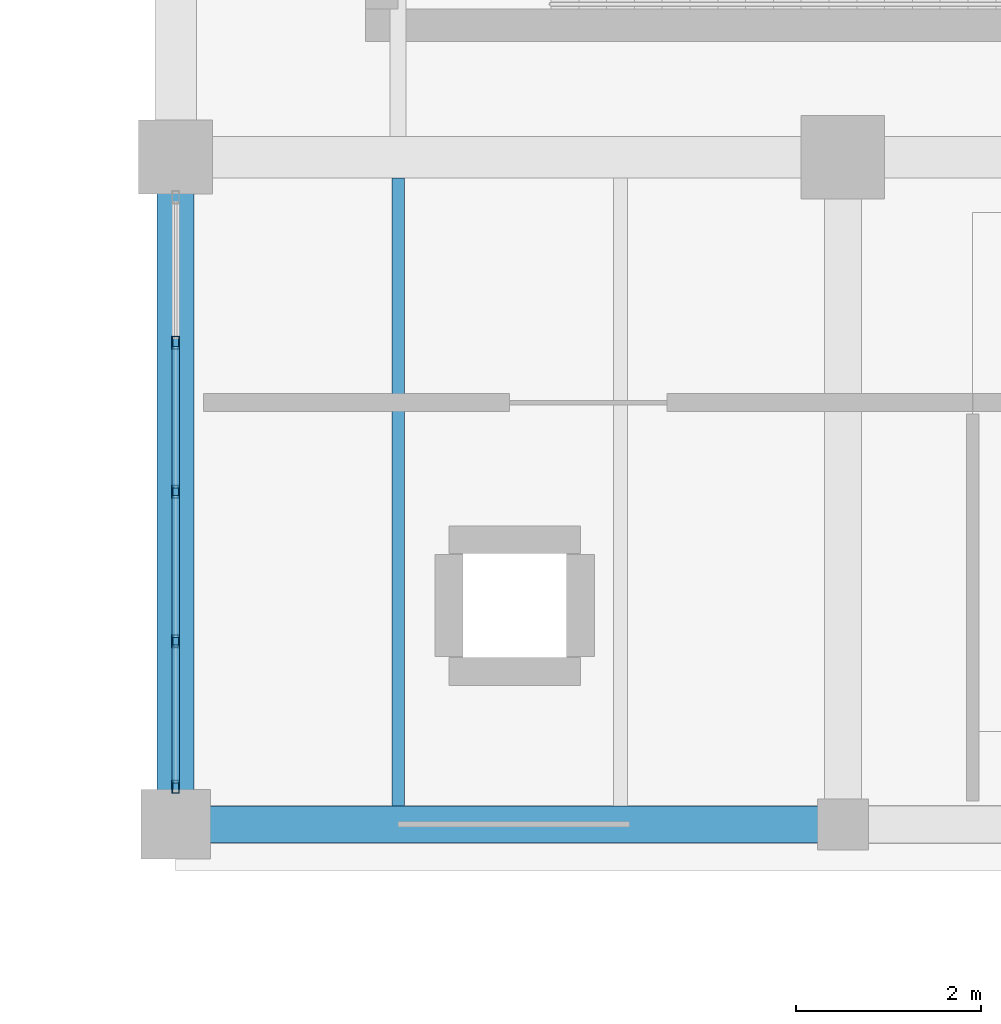
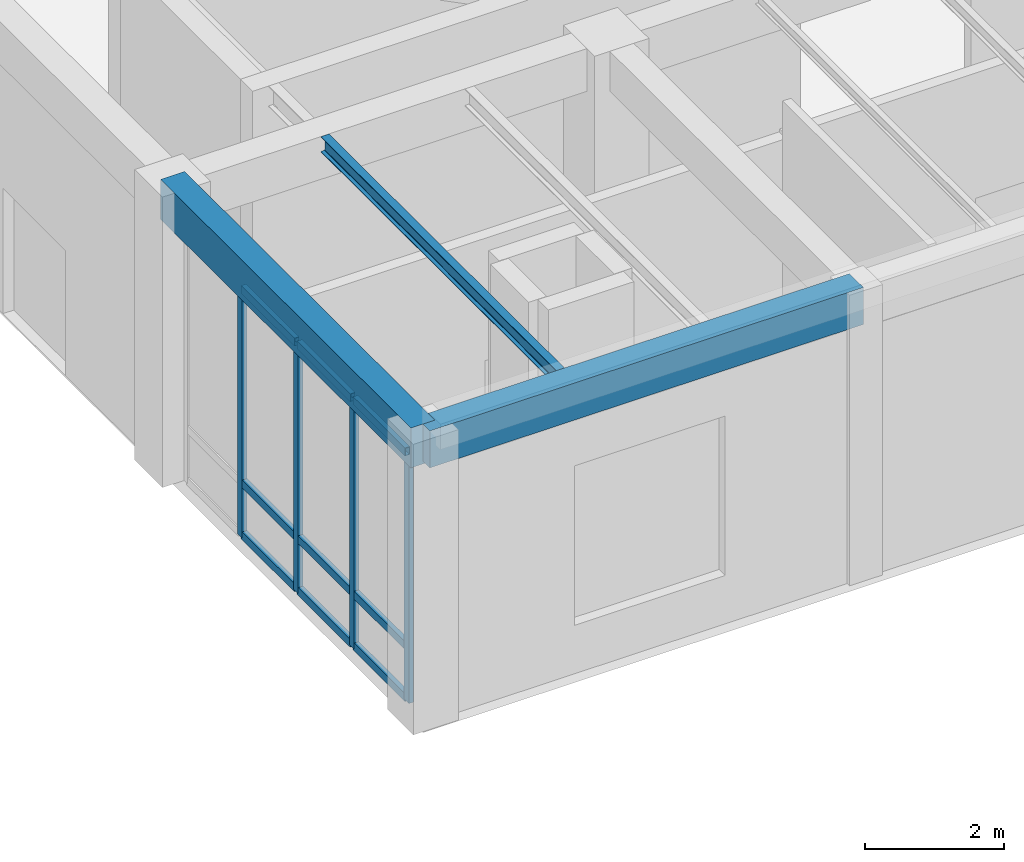
# One storey, part 44 of 169: 13 members, 3 beams, 1 element without a shape of its own.
"""IFC4 building model written with IfcOpenShell, lengths in metres."""

from ifc_helpers import new_model, si_unit, direction, frame, origin, origin_2d, place, context, subcontext, project, spatial, rectangle, hollow_rectangle, i_section, extrude, material, layer, layer_set, material_profile, profile_set, type_object, element, aggregate, save


model = new_model("IFC4")

# Units and contexts
model_context = context("Model", 3, precision=1e-05, world=origin(), true_north=direction((0.0, 1.0)))
body_context = subcontext(model_context, "Body", "Model", "MODEL_VIEW")
ifc_project = project(units=[si_unit("LENGTHUNIT", "METRE"), si_unit("AREAUNIT", "SQUARE_METRE"), si_unit("VOLUMEUNIT", "CUBIC_METRE"), si_unit("PLANEANGLEUNIT", "RADIAN"), si_unit("MASSUNIT", "GRAM", prefix="KILO")], contexts=[model_context])

# Site, building, storey
site_placement = place(None, origin())
site = spatial("IfcSite", under=ifc_project, at=site_placement, CompositionType="ELEMENT")
building_placement = place(site_placement, origin())
building = spatial("IfcBuilding", under=site, at=building_placement, Name="Mazaris Harbour Polytechnic", CompositionType="ELEMENT")
storey_placement = place(building_placement, origin())
storey = spatial("IfcBuildingStorey", under=building, at=storey_placement, Name="L00", CompositionType="ELEMENT", Elevation=0.0)

# Curtain wall, members
ifc_material_1 = material(Name="Anodised Bronze Aluminium and Low-E Glass", Category="aluminium")
ifc_layer = layer(ifc_material_1, 0.159912109375, Name="Anodised Bronze Aluminium and Low-E Glass")
ifc_layer_set = layer_set([ifc_layer], Name="Anodised Bronze Aluminium and Low-E Glass")
curtain_wall_type = type_object("IfcCurtainWallType", Name="Cloister Court Curtain Wall", PredefinedType="NOTDEFINED", material=ifc_layer_set)
curtain_wall_placement = place(storey_placement, origin())
curtain_wall = element("IfcCurtainWall", 1, at=curtain_wall_placement, inside=storey, type_object=curtain_wall_type, Name="V2 L00 Curtain Wall 41", PredefinedType="NOTDEFINED")
ifc_material_2 = material(Name="Anodised Bronze Steel S355", Category="steel")
ifc_material_profile_1 = material_profile(ifc_material_2, hollow_rectangle(XDim=0.080078125, YDim=0.139892578125, WallThickness=0.00634765625, at=origin_2d()), Name="RHS 80x140x6.3")
ifc_profile_set_1 = profile_set([ifc_material_profile_1], Name="Anodised Bronze Steel S355")
member_type_1 = type_object("IfcMemberType", Name="Curtain Mullion RHS80x140", PredefinedType="MULLION", material=ifc_profile_set_1)
member_1_placement = place(storey_placement, frame((122.39990234375, 7.60693359375, 0.0), z_axis=(0.0, 0.0, 1.0), x_axis=(-1.0, 0.0, 0.0)))
member_1 = element("IfcMember", 2, at=member_1_placement, type_object=member_type_1, Name="CW-02 mullion 1", PredefinedType="MULLION", context=body_context, shape_type="SweptSolid", body=[
    extrude(hollow_rectangle(XDim=0.080078125, YDim=0.139892578125, WallThickness=0.00634765625, at=origin_2d()), origin(), (0.0, 0.0, 1.0), 4.389892578125),
])
member_2_placement = place(storey_placement, frame((122.39990234375, 9.17724609375, 0.0), z_axis=(0.0, 0.0, 1.0), x_axis=(-1.0, 0.0, 0.0)))
member_2 = element("IfcMember", 3, at=member_2_placement, type_object=member_type_1, Name="CW-02 mullion 2", PredefinedType="MULLION", context=body_context, shape_type="SweptSolid", body=[
    extrude(hollow_rectangle(XDim=0.080078125, YDim=0.139892578125, WallThickness=0.00634765625, at=origin_2d()), origin(), (0.0, 0.0, 1.0), 4.389892578125),
])
member_3_placement = place(storey_placement, frame((122.39990234375, 10.78759765625, 0.0), z_axis=(0.0, 0.0, 1.0), x_axis=(-1.0, 0.0, 0.0)))
member_3 = element("IfcMember", 4, at=member_3_placement, type_object=member_type_1, Name="CW-02 mullion 3", PredefinedType="MULLION", context=body_context, shape_type="SweptSolid", body=[
    extrude(hollow_rectangle(XDim=0.080078125, YDim=0.139892578125, WallThickness=0.00634765625, at=origin_2d()), origin(), (0.0, 0.0, 1.0), 4.389892578125),
])
member_4_placement = place(storey_placement, frame((122.39990234375, 12.397705078125, 0.0), z_axis=(0.0, 0.0, 1.0), x_axis=(-1.0, 0.0, 0.0)))
member_4 = element("IfcMember", 5, at=member_4_placement, type_object=member_type_1, Name="CW-02 mullion 4", PredefinedType="MULLION", context=body_context, shape_type="SweptSolid", body=[
    extrude(hollow_rectangle(XDim=0.080078125, YDim=0.139892578125, WallThickness=0.00634765625, at=origin_2d()), origin(), (0.0, 0.0, 1.0), 4.389892578125),
])
ifc_material_3 = material(Name="Anodised Bronze Steel S355", Category="steel")
ifc_material_profile_2 = material_profile(ifc_material_3, hollow_rectangle(XDim=0.080078125, YDim=0.139892578125, WallThickness=0.00634765625, at=origin_2d()), Name="RHS 80x140x6.3")
ifc_profile_set_2 = profile_set([ifc_material_profile_2], Name="Anodised Bronze Steel S355")
member_type_2 = type_object("IfcMemberType", Name="Curtain Transom RHS80x140", PredefinedType="USERDEFINED", material=ifc_profile_set_2)
member_5_placement = place(storey_placement, frame((122.39990234375, 7.64697265625, 0.0400390625), z_axis=(0.0, 1.0, 0.0), x_axis=(-1.0, 0.0, 0.0)))
member_5 = element("IfcMember", 6, at=member_5_placement, type_object=member_type_2, Name="CW-02 transom 1.1", ObjectType="TRANSOM", PredefinedType="USERDEFINED", context=body_context, shape_type="SweptSolid", body=[
    extrude(hollow_rectangle(XDim=0.080078125, YDim=0.139892578125, WallThickness=0.00634765625, at=origin_2d()), origin(), (0.0, 0.0, 1.0), 1.490234375),
])
member_6_placement = place(storey_placement, frame((122.39990234375, 7.64697265625, 0.949951171875), z_axis=(0.0, 1.0, 0.0), x_axis=(-1.0, 0.0, 0.0)))
member_6 = element("IfcMember", 7, at=member_6_placement, type_object=member_type_2, Name="CW-02 transom 1.2", ObjectType="TRANSOM", PredefinedType="USERDEFINED", context=body_context, shape_type="SweptSolid", body=[
    extrude(hollow_rectangle(XDim=0.080078125, YDim=0.139892578125, WallThickness=0.00634765625, at=origin_2d()), origin(), (0.0, 0.0, 1.0), 1.490234375),
])
member_7_placement = place(storey_placement, frame((122.39990234375, 7.64697265625, 4.35009765625), z_axis=(0.0, 1.0, 0.0), x_axis=(-1.0, 0.0, 0.0)))
member_7 = element("IfcMember", 8, at=member_7_placement, type_object=member_type_2, Name="CW-02 transom 1.3", ObjectType="TRANSOM", PredefinedType="USERDEFINED", context=body_context, shape_type="SweptSolid", body=[
    extrude(hollow_rectangle(XDim=0.080078125, YDim=0.139892578125, WallThickness=0.00634765625, at=origin_2d()), origin(), (0.0, 0.0, 1.0), 1.490234375),
])
member_8_placement = place(storey_placement, frame((122.39990234375, 9.21728515625, 0.0400390625), z_axis=(0.0, 1.0, 0.0), x_axis=(-1.0, 0.0, 0.0)))
member_8 = element("IfcMember", 9, at=member_8_placement, type_object=member_type_2, Name="CW-02 transom 2.1", ObjectType="TRANSOM", PredefinedType="USERDEFINED", context=body_context, shape_type="SweptSolid", body=[
    extrude(hollow_rectangle(XDim=0.080078125, YDim=0.139892578125, WallThickness=0.00634765625, at=origin_2d()), origin(), (0.0, 0.0, 1.0), 1.5302734375),
])
member_9_placement = place(storey_placement, frame((122.39990234375, 9.21728515625, 0.949951171875), z_axis=(0.0, 1.0, 0.0), x_axis=(-1.0, 0.0, 0.0)))
member_9 = element("IfcMember", 10, at=member_9_placement, type_object=member_type_2, Name="CW-02 transom 2.2", ObjectType="TRANSOM", PredefinedType="USERDEFINED", context=body_context, shape_type="SweptSolid", body=[
    extrude(hollow_rectangle(XDim=0.080078125, YDim=0.139892578125, WallThickness=0.00634765625, at=origin_2d()), origin(), (0.0, 0.0, 1.0), 1.5302734375),
])
member_10_placement = place(storey_placement, frame((122.39990234375, 9.21728515625, 4.35009765625), z_axis=(0.0, 1.0, 0.0), x_axis=(-1.0, 0.0, 0.0)))
member_10 = element("IfcMember", 11, at=member_10_placement, type_object=member_type_2, Name="CW-02 transom 2.3", ObjectType="TRANSOM", PredefinedType="USERDEFINED", context=body_context, shape_type="SweptSolid", body=[
    extrude(hollow_rectangle(XDim=0.080078125, YDim=0.139892578125, WallThickness=0.00634765625, at=origin_2d()), origin(), (0.0, 0.0, 1.0), 1.5302734375),
])
member_11_placement = place(storey_placement, frame((122.39990234375, 10.827392578125, 0.0400390625), z_axis=(0.0, 1.0, 0.0), x_axis=(-1.0, 0.0, 0.0)))
member_11 = element("IfcMember", 12, at=member_11_placement, type_object=member_type_2, Name="CW-02 transom 3.1", ObjectType="TRANSOM", PredefinedType="USERDEFINED", context=body_context, shape_type="SweptSolid", body=[
    extrude(hollow_rectangle(XDim=0.080078125, YDim=0.139892578125, WallThickness=0.00634765625, at=origin_2d()), origin(), (0.0, 0.0, 1.0), 1.5302734375),
])
member_12_placement = place(storey_placement, frame((122.39990234375, 10.827392578125, 0.949951171875), z_axis=(0.0, 1.0, 0.0), x_axis=(-1.0, 0.0, 0.0)))
member_12 = element("IfcMember", 13, at=member_12_placement, type_object=member_type_2, Name="CW-02 transom 3.2", ObjectType="TRANSOM", PredefinedType="USERDEFINED", context=body_context, shape_type="SweptSolid", body=[
    extrude(hollow_rectangle(XDim=0.080078125, YDim=0.139892578125, WallThickness=0.00634765625, at=origin_2d()), origin(), (0.0, 0.0, 1.0), 1.5302734375),
])
member_13_placement = place(storey_placement, frame((122.39990234375, 10.827392578125, 4.35009765625), z_axis=(0.0, 1.0, 0.0), x_axis=(-1.0, 0.0, 0.0)))
member_13 = element("IfcMember", 14, at=member_13_placement, type_object=member_type_2, Name="CW-02 transom 3.3", ObjectType="TRANSOM", PredefinedType="USERDEFINED", context=body_context, shape_type="SweptSolid", body=[
    extrude(hollow_rectangle(XDim=0.080078125, YDim=0.139892578125, WallThickness=0.00634765625, at=origin_2d()), origin(), (0.0, 0.0, 1.0), 1.5302734375),
])
aggregate(curtain_wall, [member_1, member_2, member_3, member_4, member_5, member_6, member_7, member_8, member_9, member_10, member_11, member_12, member_13])

# Beams
ifc_material_4 = material(Name="Concrete C35/45", Category="concrete")
ifc_material_profile_3 = material_profile(ifc_material_4, rectangle(XDim=0.39990234375, YDim=0.64990234375, at=origin_2d()), Name="RECT400x650")
ifc_profile_set_3 = profile_set([ifc_material_profile_3], Name="Concrete C35/45")
beam_type_1 = type_object("IfcBeamType", Name="RC Girder 400x650 Exterior", PredefinedType="BEAM", material=ifc_profile_set_3)
beam_1_placement = place(storey_placement, frame((122.39990234375, 7.199951171875, 4.77490234375), z_axis=(1.0, 0.0, 0.0), x_axis=(0.0, 1.0, 0.0)))
element("IfcBeam", 15, at=beam_1_placement, inside=storey, type_object=beam_type_1, Name="V2 L00 Girder 421", PredefinedType="BEAM", context=body_context, shape_type="SweptSolid", body=[
    extrude(rectangle(XDim=0.39990234375, YDim=0.64990234375, at=origin_2d()), origin(), (0.0, 0.0, 1.0), 7.2001953125),
])
ifc_material_5 = material(Name="Concrete C35/45", Category="concrete")
ifc_material_profile_4 = material_profile(ifc_material_5, rectangle(XDim=0.39990234375, YDim=0.699951171875, at=origin_2d()), Name="RECT400x700")
ifc_profile_set_4 = profile_set([ifc_material_profile_4], Name="Concrete C35/45")
beam_type_2 = type_object("IfcBeamType", Name="RC Girder 400x700 Exterior", PredefinedType="BEAM", material=ifc_profile_set_4)
beam_2_placement = place(storey_placement, frame((122.39990234375, 7.199951171875, 4.75), z_axis=(0.0, 1.0, 0.0), x_axis=(-1.0, 0.0, 0.0)))
element("IfcBeam", 16, at=beam_2_placement, inside=storey, type_object=beam_type_2, Name="V2 L00 Tie Girder 452", PredefinedType="BEAM", context=body_context, shape_type="SweptSolid", body=[
    extrude(rectangle(XDim=0.39990234375, YDim=0.699951171875, at=origin_2d()), origin(), (0.0, 0.0, 1.0), 7.199951171875),
])
ifc_material_6 = material(Name="Steel S355", Category="steel")
ifc_material_profile_5 = material_profile(ifc_material_6, i_section(OverallWidth=0.135009765625, OverallDepth=0.27001953125, WebThickness=0.006591796875, FlangeThickness=0.01025390625, FilletRadius=0.014892578125, at=origin_2d()), Name="IPE 270")
ifc_profile_set_5 = profile_set([ifc_material_profile_5], Name="Steel S355")
beam_type_3 = type_object("IfcBeamType", Name="Steel Joist IPE270", PredefinedType="JOIST", material=ifc_profile_set_5)
beam_3_placement = place(storey_placement, frame((124.800048828125, 7.39990234375, 4.965087890625), z_axis=(0.0, 1.0, 0.0), x_axis=(-1.0, 0.0, 0.0)))
element("IfcBeam", 17, at=beam_3_placement, inside=storey, type_object=beam_type_3, Name="V2 L00 Floor Joist 478", PredefinedType="JOIST", context=body_context, shape_type="SweptSolid", body=[
    extrude(i_section(OverallWidth=0.135009765625, OverallDepth=0.27001953125, WebThickness=0.006591796875, FlangeThickness=0.01025390625, FilletRadius=0.014892578125, at=origin_2d()), origin(), (0.0, 0.0, 1.0), 6.775146484375),
])

save(model, "model.ifc")
